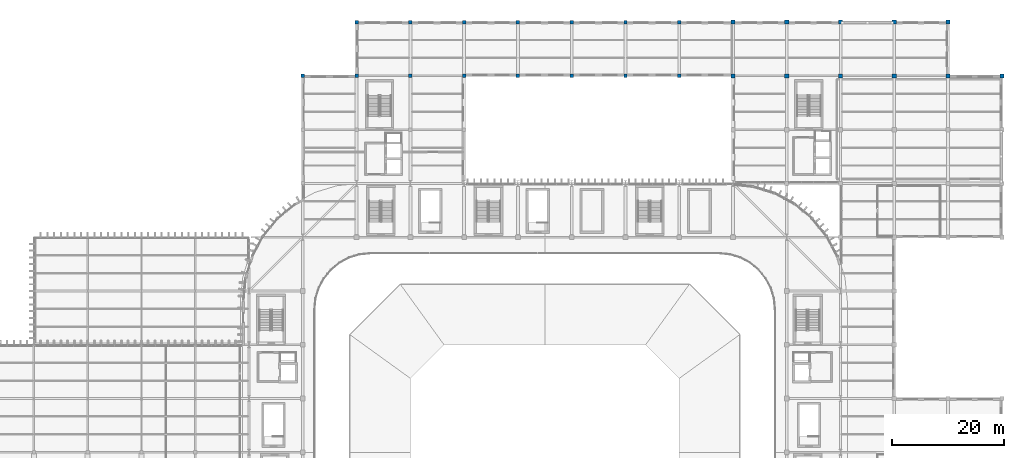
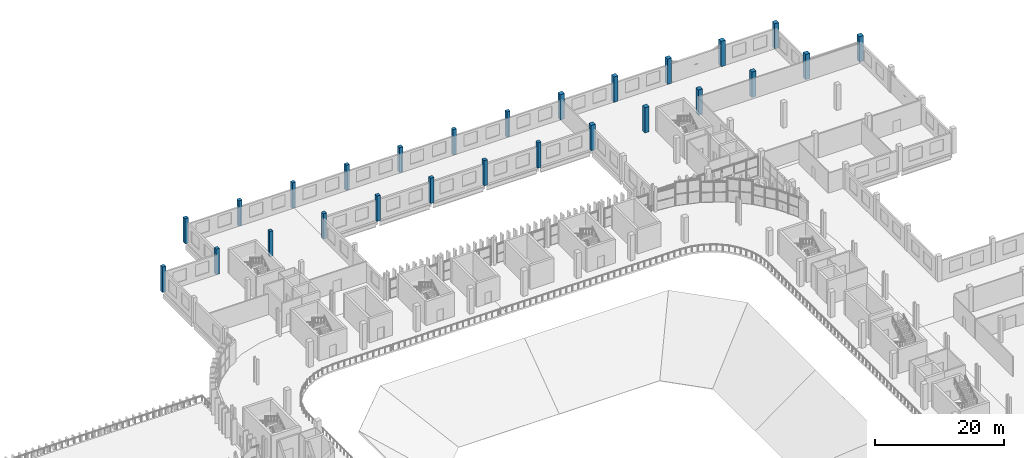
# One storey, part 11 of 99: 26 columns.
"""IFC4 building model written with IfcOpenShell, lengths in metres."""

import ifcopenshell
import ifcopenshell.guid

model = None  # the IFC model being written
_history = None  # IfcOwnerHistory: only IFC2X3 demands one
_inside = {}  # id of a spatial element -> (the spatial element, [elements in it])
_under = {}  # id of a project, library or spatial element -> (it, [spatial elements below it])
_declared = {}  # id of a project -> (the project, [libraries it declares])
_typed = {}  # id of a type object -> (the type object, [elements of that type])
_made_of = {}  # id of a material, layer set ... -> (it, [elements and type objects made of it])


def new_model(schema):
    """Start an empty IFC model of exactly this schema.

    Asked for "IFC4X3", IfcOpenShell would pick the latest addendum, in which some entities
    have other attributes; the version numbers below select the first issue.
    IFC2X3 requires an IfcOwnerHistory on every rooted entity: one is made here for all.
    """
    global model, _history
    if schema == "IFC4X3":
        model = ifcopenshell.file(schema_version=(4, 3, 0, 0))
    else:
        model = ifcopenshell.file(schema=schema)
    _inside.clear()
    _under.clear()
    _declared.clear()
    _typed.clear()
    _made_of.clear()
    _history = None
    if model.schema == "IFC2X3":
        org = make("IfcOrganization", Name="unknown")
        user = make(
            "IfcPersonAndOrganization",
            ThePerson=make("IfcPerson", FamilyName="unknown"),
            TheOrganization=org,
        )
        app = make(
            "IfcApplication",
            ApplicationDeveloper=org,
            Version="unknown",
            ApplicationFullName="unknown",
            ApplicationIdentifier="unknown",
        )
        _history = make(
            "IfcOwnerHistory",
            OwningUser=user,
            OwningApplication=app,
            ChangeAction="ADDED",
            CreationDate=0,
        )
    return model


def make(cls, **values):
    """One entity of the class cls with the attributes given. An attribute that is None is left unset."""
    return model.create_entity(
        cls, **{name: value for name, value in values.items() if value is not None}
    )


def rooted(cls, **values):
    """An entity with a GlobalId (a new one), such as an element, a storey or a relation."""
    return make(cls, GlobalId=ifcopenshell.guid.new(), OwnerHistory=_history, **values)


def si_unit(unit_type, name, prefix=None):
    """IfcSIUnit, for example si_unit("LENGTHUNIT", "METRE", prefix="MILLI")."""
    return make("IfcSIUnit", UnitType=unit_type, Prefix=prefix, Name=name)


def assignment(units):
    """IfcUnitAssignment: the units of a project."""
    return None if units is None else make("IfcUnitAssignment", Units=units)


def point(xyz):
    """IfcCartesianPoint."""
    return None if xyz is None else make("IfcCartesianPoint", Coordinates=xyz)


def direction(xyz):
    """IfcDirection."""
    return None if xyz is None else make("IfcDirection", DirectionRatios=xyz)


def frame(location, z_axis=None, x_axis=None):
    """IfcAxis2Placement3D, a coordinate frame: its origin and axes. An axis left out is left unset."""
    return make(
        "IfcAxis2Placement3D",
        Location=point(location),
        Axis=direction(z_axis),
        RefDirection=direction(x_axis),
    )


def frame_2d(location, x_axis=None):
    """IfcAxis2Placement2D, a coordinate frame in the plane: its origin and x axis."""
    return make(
        "IfcAxis2Placement2D", Location=point(location), RefDirection=direction(x_axis)
    )


def origin():
    """The frame at (0, 0, 0) with its axes left unset."""
    return frame((0.0, 0.0, 0.0))


def origin_2d():
    """The frame at (0, 0) in the plane with its x axis left unset."""
    return frame_2d((0.0, 0.0))


def place(relative_to, where):
    """IfcLocalPlacement: puts the frame where relative to a parent placement (None: the world)."""
    return make(
        "IfcLocalPlacement", PlacementRelTo=relative_to, RelativePlacement=where
    )


def context(
    kind, dimensions, precision=None, world=None, true_north=None, identifier=None
):
    """IfcGeometricRepresentationContext, for example the 3D "Model" context."""
    return make(
        "IfcGeometricRepresentationContext",
        ContextIdentifier=identifier,
        ContextType=kind,
        CoordinateSpaceDimension=dimensions,
        Precision=precision,
        WorldCoordinateSystem=world,
        TrueNorth=true_north,
    )


def subcontext(parent, identifier, kind, view, scale=None):
    """IfcGeometricRepresentationSubContext, for example "Body" below "Model"."""
    return make(
        "IfcGeometricRepresentationSubContext",
        ContextIdentifier=identifier,
        ContextType=kind,
        ParentContext=parent,
        TargetScale=scale,
        TargetView=view,
    )


def project(units=None, contexts=None):
    """IfcProject with its units and contexts."""
    return rooted(
        "IfcProject",
        Name="project",
        RepresentationContexts=contexts,
        UnitsInContext=assignment(units),
    )


def spatial(cls, under=None, at=None, **own):
    """A site, building, storey or space (cls), placed at a placement, below another one or the project."""
    s = rooted(cls, ObjectPlacement=at, **own)
    if under is not None:
        _under.setdefault(under.id(), (under, []))[1].append(s)
    return s


def profile(cls, at=None, kind="AREA", **sizes):
    """A parametric profile (cls). Its sizes go by their IFC names, for example OverallWidth=200.0."""
    return make(cls, ProfileType=kind, Position=at, **sizes)


def rectangle(**sizes):
    """IfcRectangleProfileDef."""
    return profile("IfcRectangleProfileDef", **sizes)


def extrude(swept, where, along, depth):
    """IfcExtrudedAreaSolid: the profile swept, set in the frame where, extruded along a direction by depth."""
    return make(
        "IfcExtrudedAreaSolid",
        SweptArea=swept,
        Position=where,
        ExtrudedDirection=direction(along),
        Depth=depth,
    )


def shape(context_of_items, identifier, shape_type, items):
    """IfcShapeRepresentation: the items that make up one representation, for example the "Body"."""
    return make(
        "IfcShapeRepresentation",
        ContextOfItems=context_of_items,
        RepresentationIdentifier=identifier,
        RepresentationType=shape_type,
        Items=items,
    )


def material(Name=None, Category=None):
    """IfcMaterial."""
    return make("IfcMaterial", Name=Name, Category=Category)


def material_profile(
    of_material, cross_section, Name=None, Category=None, Priority=None
):
    """IfcMaterialProfile: a cross section and its material."""
    return make(
        "IfcMaterialProfile",
        Name=Name,
        Material=of_material,
        Profile=cross_section,
        Priority=Priority,
        Category=Category,
    )


def profile_set(profiles, Name=None, composite=None):
    """IfcMaterialProfileSet."""
    return make(
        "IfcMaterialProfileSet",
        Name=Name,
        MaterialProfiles=profiles,
        CompositeProfile=composite,
    )


def made_of(thing, what):
    """Note that an element or type object is made of a material, layer set ...; save() writes the relation."""
    if what is not None:
        _made_of.setdefault(what.id(), (what, []))[1].append(thing)
    return thing


def type_object(cls, material=None, **own):
    """A type object (cls), such as IfcWallType, which elements share."""
    return made_of(rooted(cls, **own), material)


def element(
    cls,
    number,
    at=None,
    inside=None,
    cuts=None,
    type_object=None,
    material=None,
    context=None,
    identifier="Body",
    shape_type=None,
    held_by="IfcProductDefinitionShape",
    body=None,
    shapes=None,
    **own,
):
    """One element of the class cls, such as IfcWall. Its Tag is "e" and its number.

    at: its placement. inside: the storey or other place that contains it. cuts: it is an
    opening in that element (IfcRelVoidsElement). A single representation is given by context,
    identifier, shape_type and body (its items); several are given by shapes. held_by: the class
    of the entity that holds the representations. save() writes the other relations.
    """
    e = rooted(cls, Tag="e%d" % number, ObjectPlacement=at, **own)
    if body is not None:
        shapes = [shape(context, identifier, shape_type, body)]
    if shapes is not None:
        e.Representation = make(held_by, Representations=shapes)
    if inside is not None:
        _inside.setdefault(inside.id(), (inside, []))[1].append(e)
    if cuts is not None:
        rooted(
            "IfcRelVoidsElement", RelatingBuildingElement=cuts, RelatedOpeningElement=e
        )
    if type_object is not None:
        _typed.setdefault(type_object.id(), (type_object, []))[1].append(e)
    return made_of(e, material)


def aggregate(whole, parts):
    """IfcRelAggregates: a whole, such as a stair, and the parts it consists of."""
    return rooted("IfcRelAggregates", RelatingObject=whole, RelatedObjects=parts)


def save(model, path):
    """Write the relations noted so far, then the file.

    IfcRelAggregates (storeys below a building ...), IfcRelContainedInSpatialStructure (elements
    in a storey), IfcRelDefinesByType, IfcRelAssociatesMaterial and IfcRelDeclares: one each for
    every whole, place, type object, material and project.
    """
    for whole, parts in _under.values():
        aggregate(whole, parts)
    for where, things in _inside.values():
        rooted(
            "IfcRelContainedInSpatialStructure",
            RelatedElements=things,
            RelatingStructure=where,
        )
    for kind, things in _typed.values():
        rooted("IfcRelDefinesByType", RelatedObjects=things, RelatingType=kind)
    for what, things in _made_of.values():
        rooted("IfcRelAssociatesMaterial", RelatedObjects=things, RelatingMaterial=what)
    for by, libraries in _declared.values():
        rooted("IfcRelDeclares", RelatingContext=by, RelatedDefinitions=libraries)
    model.write(path)


model = new_model("IFC4")

# Units and contexts
model_context = context("Model", 3, precision=1e-05, world=origin(), true_north=direction((0.0, 1.0)))
body_context = subcontext(model_context, "Body", "Model", "MODEL_VIEW")
ifc_project = project(units=[si_unit("LENGTHUNIT", "METRE"), si_unit("AREAUNIT", "SQUARE_METRE"), si_unit("VOLUMEUNIT", "CUBIC_METRE"), si_unit("PLANEANGLEUNIT", "RADIAN"), si_unit("MASSUNIT", "GRAM", prefix="KILO")], contexts=[model_context])

# Site, building, storey
site_placement = place(None, origin())
site = spatial("IfcSite", under=ifc_project, at=site_placement, CompositionType="ELEMENT")
building_placement = place(site_placement, origin())
building = spatial("IfcBuilding", under=site, at=building_placement, Name="Caelomonte Colonnade Arena", CompositionType="ELEMENT")
storey_placement = place(building_placement, frame((0.0, 0.0, 4.800048828125)))
storey = spatial("IfcBuildingStorey", under=building, at=storey_placement, Name="L01", CompositionType="ELEMENT", Elevation=4.800048828125)

# Columns
ifc_material = material(Name="Concrete C40/50", Category="concrete")
ifc_material_profile_1 = material_profile(ifc_material, rectangle(XDim=0.60009765625, YDim=0.60009765625, at=origin_2d()), Name="RC600X600")
ifc_profile_set_1 = profile_set([ifc_material_profile_1], Name="Concrete C40/50")
column_type_1 = type_object("IfcColumnType", Name="STR-COL-RC06", PredefinedType="COLUMN", material=ifc_profile_set_1)
for number, where, z_axis, x_axis, name in (
    (1, (67.199951171875, 134.39990234375, 0.0), (0.0, 0.0, 1.0), (1.0, 0.0, 0.0), "L01 column (67.2, 134.4)"),
    (2, (76.800048828125, 134.39990234375, 0.0), (0.0, 0.0, 1.0), (1.0, 0.0, 0.0), "L01 column (76.8, 134.4)"),
    (3, (76.800048828125, 144.0, 0.0), (0.0, 0.0, 1.0), (1.0, 0.0, 0.0), "L01 column (76.8, 144.0)"),
    (4, (86.39990234375, 134.39990234375, 0.0), (0.0, 0.0, 1.0), (1.0, 0.0, 0.0), "L01 column (86.4, 134.4)"),
    (5, (86.39990234375, 144.0, 0.0), (0.0, 0.0, 1.0), (1.0, 0.0, 0.0), "L01 column (86.4, 144.0)"),
    (6, (96.0, 134.39990234375, 0.0), (0.0, 0.0, 1.0), (1.0, 0.0, 0.0), "L01 column (96.0, 134.4)"),
    (7, (96.0, 144.0, 0.0), (0.0, 0.0, 1.0), (1.0, 0.0, 0.0), "L01 column (96.0, 144.0)"),
    (8, (105.60009765625, 134.39990234375, 0.0), (0.0, 0.0, 1.0), (1.0, 0.0, 0.0), "L01 column (105.6, 134.4)"),
    (9, (105.60009765625, 144.0, 0.0), (0.0, 0.0, 1.0), (1.0, 0.0, 0.0), "L01 column (105.6, 144.0)"),
    (10, (115.199951171875, 134.39990234375, 0.0), (0.0, 0.0, 1.0), (1.0, 0.0, 0.0), "L01 column (115.2, 134.4)"),
    (11, (115.199951171875, 144.0, 0.0), (0.0, 0.0, 1.0), (1.0, 0.0, 0.0), "L01 column (115.2, 144.0)"),
    (12, (124.800048828125, 134.39990234375, 0.0), (0.0, 0.0, 1.0), (1.0, 0.0, 0.0), "L01 column (124.8, 134.4)"),
    (13, (124.800048828125, 144.0, 0.0), (0.0, 0.0, 1.0), (1.0, 0.0, 0.0), "L01 column (124.8, 144.0)"),
    (14, (134.39990234375, 134.39990234375, 0.0), (0.0, 0.0, 1.0), (1.0, 0.0, 0.0), "L01 column (134.4, 134.4)"),
    (15, (134.39990234375, 144.0, 0.0), (0.0, 0.0, 1.0), (1.0, 0.0, 0.0), "L01 column (134.4, 144.0)"),
):
    element("IfcColumn", number, at=place(storey_placement, frame(where, z_axis=z_axis, x_axis=x_axis)), inside=storey, type_object=column_type_1, Name=name, PredefinedType="COLUMN", context=body_context, shape_type="SweptSolid", body=[
        extrude(rectangle(XDim=0.60009765625, YDim=0.60009765625, at=origin_2d()), origin(), (0.0, 0.0, 1.0), 4.800048828125),
    ])
ifc_material_profile_2 = material_profile(ifc_material, rectangle(XDim=0.75, YDim=0.75, at=origin_2d()), Name="RC750X750")
ifc_profile_set_2 = profile_set([ifc_material_profile_2], Name="Concrete C40/50")
column_type_2 = type_object("IfcColumnType", Name="STR-COL-RC75", PredefinedType="COLUMN", material=ifc_profile_set_2)
for number, where, z_axis, x_axis, name in (
    (16, (144.0, 134.39990234375, 0.0), (0.0, 0.0, 1.0), (1.0, 0.0, 0.0), "L01 column (144.0, 134.4)"),
    (17, (144.0, 144.0, 0.0), (0.0, 0.0, 1.0), (1.0, 0.0, 0.0), "L01 column (144.0, 144.0)"),
    (18, (153.60009765625, 134.39990234375, 0.0), (0.0, 0.0, 1.0), (1.0, 0.0, 0.0), "L01 column (153.6, 134.4)"),
    (19, (153.60009765625, 144.0, 0.0), (0.0, 0.0, 1.0), (1.0, 0.0, 0.0), "L01 column (153.6, 144.0)"),
    (20, (163.199951171875, 134.39990234375, 0.0), (0.0, 0.0, 1.0), (1.0, 0.0, 0.0), "L01 column (163.2, 134.4)"),
    (21, (163.199951171875, 144.0, 0.0), (0.0, 0.0, 1.0), (1.0, 0.0, 0.0), "L01 column (163.2, 144.0)"),
    (22, (172.800048828125, 134.39990234375, 0.0), (0.0, 0.0, 1.0), (1.0, 0.0, 0.0), "L01 column (172.8, 134.4)"),
    (23, (172.800048828125, 144.0, 0.0), (0.0, 0.0, 1.0), (1.0, 0.0, 0.0), "L01 column (172.8, 144.0)"),
    (24, (182.39990234375, 134.39990234375, 0.0), (0.0, 0.0, 1.0), (1.0, 0.0, 0.0), "L01 column (182.4, 134.4)"),
    (25, (182.39990234375, 144.0, 0.0), (0.0, 0.0, 1.0), (1.0, 0.0, 0.0), "L01 column (182.4, 144.0)"),
    (26, (192.0, 134.39990234375, 0.0), (0.0, 0.0, 1.0), (1.0, 0.0, 0.0), "L01 column (192.0, 134.4)"),
):
    element("IfcColumn", number, at=place(storey_placement, frame(where, z_axis=z_axis, x_axis=x_axis)), inside=storey, type_object=column_type_2, Name=name, PredefinedType="COLUMN", context=body_context, shape_type="SweptSolid", body=[
        extrude(rectangle(XDim=0.75, YDim=0.75, at=origin_2d()), origin(), (0.0, 0.0, 1.0), 4.800048828125),
    ])

save(model, "model.ifc")
